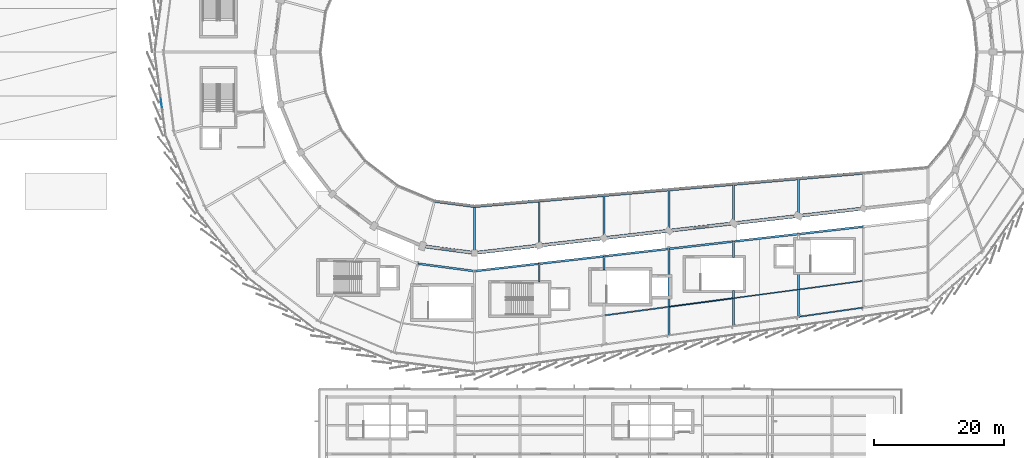
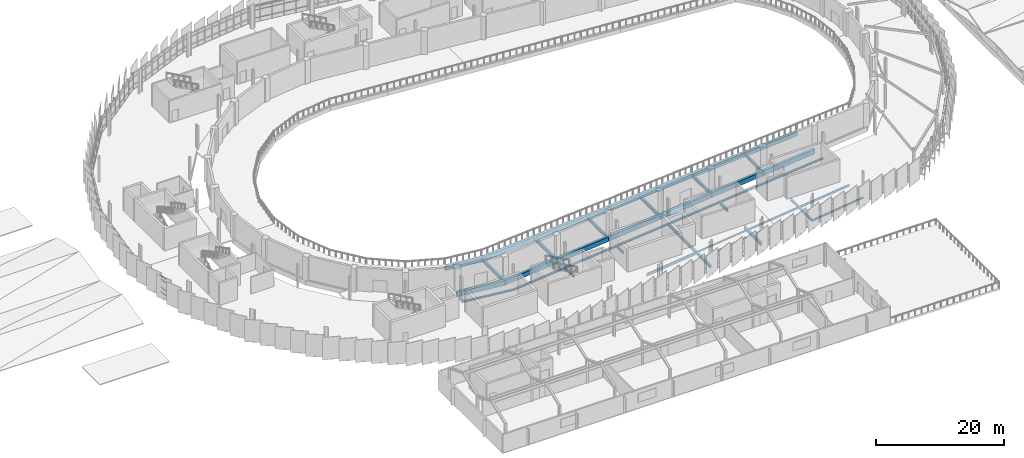
# One storey, part 26 of 87: 38 beams, 4 members, 1 element without a shape of its own.
"""IFC4 building model written with IfcOpenShell, lengths in metres."""

from ifc_helpers import new_model, si_unit, direction, frame, origin, origin_2d, place, context, subcontext, project, spatial, rectangle, hollow_rectangle, i_section, extrude, material, layer, layer_set, material_profile, profile_set, type_object, element, aggregate, save


model = new_model("IFC4")

# Units and contexts
model_context = context("Model", 3, precision=1e-05, world=origin(), true_north=direction((0.0, 1.0)))
body_context = subcontext(model_context, "Body", "Model", "MODEL_VIEW")
ifc_project = project(units=[si_unit("LENGTHUNIT", "METRE"), si_unit("AREAUNIT", "SQUARE_METRE"), si_unit("VOLUMEUNIT", "CUBIC_METRE"), si_unit("PLANEANGLEUNIT", "RADIAN"), si_unit("MASSUNIT", "GRAM", prefix="KILO")], contexts=[model_context])

# Site, building, storey
site_placement = place(None, origin())
site = spatial("IfcSite", under=ifc_project, at=site_placement, CompositionType="ELEMENT")
building_placement = place(site_placement, origin())
building = spatial("IfcBuilding", under=site, at=building_placement, Name="Sohan Crest Arena", CompositionType="ELEMENT")
storey_placement = place(building_placement, frame((0.0, 0.0, 18.0)))
storey = spatial("IfcBuildingStorey", under=building, at=storey_placement, Name="L04", CompositionType="ELEMENT", Elevation=18.0)

# Curtain wall, members
ifc_material_1 = material(Name="Thermally broken anodised aluminium", Category="aluminium")
ifc_layer = layer(ifc_material_1, 0.179931640625, Name="Thermally broken anodised aluminium")
ifc_layer_set = layer_set([ifc_layer], Name="Thermally broken anodised aluminium")
curtain_wall_type = type_object("IfcCurtainWallType", Name="ARC-CW01", PredefinedType="NOTDEFINED", material=ifc_layer_set)
curtain_wall_placement = place(storey_placement, origin())
curtain_wall = element("IfcCurtainWall", 1, at=curtain_wall_placement, inside=storey, type_object=curtain_wall_type, Name="Unitised curtain wall CW-118", PredefinedType="NOTDEFINED")
ifc_material_profile_1 = material_profile(ifc_material_1, rectangle(XDim=0.06005859375, YDim=0.1201171875, at=origin_2d()), Name="ALU-TRAN 60x120")
ifc_profile_set_1 = profile_set([ifc_material_profile_1], Name="Thermally broken anodised aluminium")
member_type = type_object("IfcMemberType", Name="ARC-CW-TR01", PredefinedType="USERDEFINED", material=ifc_profile_set_1)
member_1_placement = place(storey_placement, frame((49.589111328125, 70.869140625, 0.030029296875), z_axis=(0.130542644625, -0.991442695235, 0.0), x_axis=(0.991442695235, 0.130542644625, 0.0)))
member_1 = element("IfcMember", 2, at=member_1_placement, type_object=member_type, Name="CW-118 transom 6.1", ObjectType="TRANSOM", PredefinedType="USERDEFINED", context=body_context, shape_type="SweptSolid", body=[
    extrude(rectangle(XDim=0.06005859375, YDim=0.1201171875, at=origin_2d()), origin(), (0.0, 0.0, 1.0), 1.361572265625),
])
member_2_placement = place(storey_placement, frame((49.589111328125, 70.869140625, 0.89990234375), z_axis=(0.130542644625, -0.991442695235, 0.0), x_axis=(0.991442695235, 0.130542644625, 0.0)))
member_2 = element("IfcMember", 3, at=member_2_placement, type_object=member_type, Name="CW-118 transom 6.2", ObjectType="TRANSOM", PredefinedType="USERDEFINED", context=body_context, shape_type="SweptSolid", body=[
    extrude(rectangle(XDim=0.06005859375, YDim=0.1201171875, at=origin_2d()), origin(), (0.0, 0.0, 1.0), 1.361572265625),
])
member_3_placement = place(storey_placement, frame((49.589111328125, 70.869140625, 2.419921875), z_axis=(0.130542644625, -0.991442695235, 0.0), x_axis=(0.991442695235, 0.130542644625, 0.0)))
member_3 = element("IfcMember", 4, at=member_3_placement, type_object=member_type, Name="CW-118 transom 6.3", ObjectType="TRANSOM", PredefinedType="USERDEFINED", context=body_context, shape_type="SweptSolid", body=[
    extrude(rectangle(XDim=0.06005859375, YDim=0.1201171875, at=origin_2d()), origin(), (0.0, 0.0, 1.0), 1.361572265625),
])
member_4_placement = place(storey_placement, frame((49.589111328125, 70.869140625, 3.090087890625), z_axis=(0.130542644625, -0.991442695235, 0.0), x_axis=(0.991442695235, 0.130542644625, 0.0)))
member_4 = element("IfcMember", 5, at=member_4_placement, type_object=member_type, Name="CW-118 transom 6.4", ObjectType="TRANSOM", PredefinedType="USERDEFINED", context=body_context, shape_type="SweptSolid", body=[
    extrude(rectangle(XDim=0.06005859375, YDim=0.1201171875, at=origin_2d()), origin(), (0.0, 0.0, 1.0), 1.361572265625),
])
aggregate(curtain_wall, [member_1, member_2, member_3, member_4])

# Beams
ifc_material_2 = material(Name="Steel S355", Category="steel")
ifc_material_profile_2 = material_profile(ifc_material_2, i_section(OverallWidth=0.14990234375, OverallDepth=0.300048828125, WebThickness=0.007080078125, FlangeThickness=0.0107421875, at=origin_2d()), Name="IPE 300")
ifc_profile_set_2 = profile_set([ifc_material_profile_2], Name="Steel S355")
beam_type_1 = type_object("IfcBeamType", Name="STR-BM-B01", PredefinedType="JOIST", material=ifc_profile_set_2)
beam_1_placement = place(storey_placement, frame((128.10888671875, 38.7041015625, -0.39990234375), z_axis=(0.991232437337, 0.132129690721, 0.0), x_axis=(-0.132129690721, 0.991232437337, 0.0)))
element("IfcBeam", 6, at=beam_1_placement, inside=storey, type_object=beam_type_1, Name="Structural beam J-L04-1618", PredefinedType="JOIST", context=body_context, shape_type="SweptSolid", body=[
    extrude(i_section(OverallWidth=0.14990234375, OverallDepth=0.300048828125, WebThickness=0.007080078125, FlangeThickness=0.0107421875, at=origin_2d()), origin(), (0.0, 0.0, 1.0), 9.86865234375),
])
ifc_material_profile_3 = material_profile(ifc_material_2, i_section(OverallWidth=0.169921875, OverallDepth=0.360107421875, WebThickness=0.008056640625, FlangeThickness=0.0126953125, at=origin_2d()), Name="IPE 360")
ifc_profile_set_3 = profile_set([ifc_material_profile_3], Name="Steel S355")
beam_type_2 = type_object("IfcBeamType", Name="STR-BM-B02", PredefinedType="JOIST", material=ifc_profile_set_3)
beam_2_placement = place(storey_placement, frame((138.10888671875, 40.0380859375, -0.429931640625), z_axis=(0.991232437337, 0.132129690721, 0.0), x_axis=(-0.132129690721, 0.991232437337, 0.0)))
element("IfcBeam", 7, at=beam_2_placement, inside=storey, type_object=beam_type_2, Name="Structural beam J-L04-1623", PredefinedType="JOIST", context=body_context, shape_type="SweptSolid", body=[
    extrude(i_section(OverallWidth=0.169921875, OverallDepth=0.360107421875, WebThickness=0.008056640625, FlangeThickness=0.0126953125, at=origin_2d()), origin(), (0.0, 0.0, 1.0), 9.86865234375),
])
ifc_material_profile_4 = material_profile(ifc_material_2, i_section(OverallWidth=0.179931640625, OverallDepth=0.39990234375, WebThickness=0.008544921875, FlangeThickness=0.013427734375, at=origin_2d()), Name="IPE 400")
ifc_profile_set_4 = profile_set([ifc_material_profile_4], Name="Steel S355")
beam_type_3 = type_object("IfcBeamType", Name="STR-BM-B03", PredefinedType="JOIST", material=ifc_profile_set_4)
beam_3_placement = place(storey_placement, frame((148.10888671875, 41.3720703125, -0.449951171875), z_axis=(0.991232437337, 0.132129690721, 0.0), x_axis=(-0.132129690721, 0.991232437337, 0.0)))
element("IfcBeam", 8, at=beam_3_placement, inside=storey, type_object=beam_type_3, Name="Structural beam J-L04-1628", PredefinedType="JOIST", context=body_context, shape_type="SweptSolid", body=[
    extrude(i_section(OverallWidth=0.179931640625, OverallDepth=0.39990234375, WebThickness=0.008544921875, FlangeThickness=0.013427734375, at=origin_2d()), origin(), (0.0, 0.0, 1.0), 9.86865234375),
])
ifc_material_profile_5 = material_profile(ifc_material_2, i_section(OverallWidth=0.199951171875, OverallDepth=0.5, WebThickness=0.01025390625, FlangeThickness=0.01611328125, at=origin_2d()), Name="IPE 500")
ifc_profile_set_5 = profile_set([ifc_material_profile_5], Name="Steel S355")
beam_type_4 = type_object("IfcBeamType", Name="STR-BM-B05", PredefinedType="JOIST", material=ifc_profile_set_5)
beam_4_placement = place(storey_placement, frame((118.10888671875, 37.3701171875, -0.5), z_axis=(0.991232437337, 0.132129690721, 0.0), x_axis=(-0.132129690721, 0.991232437337, 0.0)))
element("IfcBeam", 9, at=beam_4_placement, inside=storey, type_object=beam_type_4, Name="Structural beam J-L04-1614", PredefinedType="JOIST", context=body_context, shape_type="SweptSolid", body=[
    extrude(i_section(OverallWidth=0.199951171875, OverallDepth=0.5, WebThickness=0.01025390625, FlangeThickness=0.01611328125, at=origin_2d()), origin(), (0.0, 0.0, 1.0), 9.86865234375),
])
ifc_material_profile_6 = material_profile(ifc_material_2, i_section(OverallWidth=0.300048828125, OverallDepth=0.590087890625, WebThickness=0.012939453125, FlangeThickness=0.02490234375, at=origin_2d()), Name="HEA 600")
ifc_profile_set_6 = profile_set([ifc_material_profile_6], Name="Steel S355")
beam_type_5 = type_object("IfcBeamType", Name="STR-BM-B11", PredefinedType="BEAM", material=ifc_profile_set_6)
beam_5_placement = place(storey_placement, frame((98.0, 54.199951171875, -0.544921875), z_axis=(0.0, -1.0, 0.0), x_axis=(1.0, 0.0, 0.0)))
element("IfcBeam", 10, at=beam_5_placement, inside=storey, type_object=beam_type_5, Name="Structural beam G-L04-0342", PredefinedType="BEAM", context=body_context, shape_type="SweptSolid", body=[
    extrude(i_section(OverallWidth=0.300048828125, OverallDepth=0.590087890625, WebThickness=0.012939453125, FlangeThickness=0.02490234375, at=origin_2d()), origin(), (0.0, 0.0, 1.0), 7.199951171875),
])
beam_6_placement = place(storey_placement, frame((108.0, 55.056884765625, -0.544921875), z_axis=(0.0, -1.0, 0.0), x_axis=(1.0, 0.0, 0.0)))
element("IfcBeam", 11, at=beam_6_placement, inside=storey, type_object=beam_type_5, Name="Structural beam G-L04-0364", PredefinedType="BEAM", context=body_context, shape_type="SweptSolid", body=[
    extrude(i_section(OverallWidth=0.300048828125, OverallDepth=0.590087890625, WebThickness=0.012939453125, FlangeThickness=0.02490234375, at=origin_2d()), origin(), (0.0, 0.0, 1.0), 6.913818359375),
])
beam_7_placement = place(storey_placement, frame((118.0, 55.9140625, -0.544921875), z_axis=(0.0, -1.0, 0.0), x_axis=(1.0, 0.0, 0.0)))
element("IfcBeam", 12, at=beam_7_placement, inside=storey, type_object=beam_type_5, Name="Structural beam G-L04-0386", PredefinedType="BEAM", context=body_context, shape_type="SweptSolid", body=[
    extrude(i_section(OverallWidth=0.300048828125, OverallDepth=0.590087890625, WebThickness=0.012939453125, FlangeThickness=0.02490234375, at=origin_2d()), origin(), (0.0, 0.0, 1.0), 6.628173828125),
])
beam_8_placement = place(storey_placement, frame((128.0, 56.77099609375, -0.544921875), z_axis=(0.0, -1.0, 0.0), x_axis=(1.0, 0.0, 0.0)))
element("IfcBeam", 13, at=beam_8_placement, inside=storey, type_object=beam_type_5, Name="Structural beam G-L04-0408", PredefinedType="BEAM", context=body_context, shape_type="SweptSolid", body=[
    extrude(i_section(OverallWidth=0.300048828125, OverallDepth=0.590087890625, WebThickness=0.012939453125, FlangeThickness=0.02490234375, at=origin_2d()), origin(), (0.0, 0.0, 1.0), 6.342041015625),
])
beam_9_placement = place(storey_placement, frame((138.0, 57.62890625, -0.544921875), z_axis=(0.0, -1.0, 0.0), x_axis=(1.0, 0.0, 0.0)))
element("IfcBeam", 14, at=beam_9_placement, inside=storey, type_object=beam_type_5, Name="Structural beam G-L04-0430", PredefinedType="BEAM", context=body_context, shape_type="SweptSolid", body=[
    extrude(i_section(OverallWidth=0.300048828125, OverallDepth=0.590087890625, WebThickness=0.012939453125, FlangeThickness=0.02490234375, at=origin_2d()), origin(), (0.0, 0.0, 1.0), 6.057861328125),
])
beam_10_placement = place(storey_placement, frame((148.0, 58.486083984375, -0.544921875), z_axis=(0.0, -1.0, 0.0), x_axis=(1.0, 0.0, 0.0)))
element("IfcBeam", 15, at=beam_10_placement, inside=storey, type_object=beam_type_5, Name="Structural beam G-L04-0452", PredefinedType="BEAM", context=body_context, shape_type="SweptSolid", body=[
    extrude(i_section(OverallWidth=0.300048828125, OverallDepth=0.590087890625, WebThickness=0.012939453125, FlangeThickness=0.02490234375, at=origin_2d()), origin(), (0.0, 0.0, 1.0), 5.77197265625),
])
beam_11_placement = place(storey_placement, frame((138.0, 48.77099609375, -0.544921875), z_axis=(0.0, -1.0, 0.0), x_axis=(1.0, 0.0, 0.0)))
element("IfcBeam", 16, at=beam_11_placement, inside=storey, type_object=beam_type_5, Name="Structural beam G-L04-1619", PredefinedType="BEAM", context=body_context, shape_type="SweptSolid", body=[
    extrude(i_section(OverallWidth=0.300048828125, OverallDepth=0.590087890625, WebThickness=0.012939453125, FlangeThickness=0.02490234375, at=origin_2d()), origin(), (0.0, 0.0, 1.0), 2.44091796875),
])
beam_12_placement = place(storey_placement, frame((138.0, 41.169921875, -0.544921875), z_axis=(0.0, -1.0, 0.0), x_axis=(1.0, 0.0, 0.0)))
element("IfcBeam", 17, at=beam_12_placement, inside=storey, type_object=beam_type_5, Name="Structural beam G-L04-1620", PredefinedType="BEAM", context=body_context, shape_type="SweptSolid", body=[
    extrude(i_section(OverallWidth=0.300048828125, OverallDepth=0.590087890625, WebThickness=0.012939453125, FlangeThickness=0.02490234375, at=origin_2d()), origin(), (0.0, 0.0, 1.0), 5.455810546875),
])
ifc_material_profile_7 = material_profile(ifc_material_2, i_section(OverallWidth=0.300048828125, OverallDepth=0.300048828125, WebThickness=0.010986328125, FlangeThickness=0.01904296875, at=origin_2d()), Name="HEB 300")
ifc_profile_set_7 = profile_set([ifc_material_profile_7], Name="Steel S355")
beam_type_6 = type_object("IfcBeamType", Name="STR-BM-B12", PredefinedType="BEAM", material=ifc_profile_set_7)
beam_13_placement = place(storey_placement, frame((89.251953125, 45.35205078125, -0.39990234375), z_axis=(0.991439032147, -0.130570461953, 0.0), x_axis=(0.130570461953, 0.991439032147, 0.0)))
element("IfcBeam", 18, at=beam_13_placement, inside=storey, type_object=beam_type_6, Name="Structural beam G-L04-1598", PredefinedType="BEAM", context=body_context, shape_type="SweptSolid", body=[
    extrude(i_section(OverallWidth=0.300048828125, OverallDepth=0.300048828125, WebThickness=0.010986328125, FlangeThickness=0.01904296875, at=origin_2d()), origin(), (0.0, 0.0, 1.0), 8.823486328125),
])
beam_14_placement = place(storey_placement, frame((98.0, 44.199951171875, -0.39990234375), z_axis=(0.99353032697, 0.113567114035, 0.0), x_axis=(-0.113567114035, 0.99353032697, 0.0)))
element("IfcBeam", 19, at=beam_14_placement, inside=storey, type_object=beam_type_6, Name="Structural beam G-L04-1602", PredefinedType="BEAM", context=body_context, shape_type="SweptSolid", body=[
    extrude(i_section(OverallWidth=0.300048828125, OverallDepth=0.300048828125, WebThickness=0.010986328125, FlangeThickness=0.01904296875, at=origin_2d()), origin(), (0.0, 0.0, 1.0), 10.065185546875),
])
beam_15_placement = place(storey_placement, frame((108.0, 45.343017578125, -0.39990234375), z_axis=(0.0, -1.0, 0.0), x_axis=(1.0, 0.0, 0.0)))
element("IfcBeam", 20, at=beam_15_placement, inside=storey, type_object=beam_type_6, Name="Structural beam G-L04-1605", PredefinedType="BEAM", context=body_context, shape_type="SweptSolid", body=[
    extrude(i_section(OverallWidth=0.300048828125, OverallDepth=0.300048828125, WebThickness=0.010986328125, FlangeThickness=0.01904296875, at=origin_2d()), origin(), (0.0, 0.0, 1.0), 2.863037109375),
])
for number, where, z_axis, x_axis, name in (
    (21, (108.0, 45.343017578125, -0.39990234375), (0.99353032697, 0.113567114035, 0.0), (-0.113567114035, 0.99353032697, 0.0), "Structural beam G-L04-1607"),
    (22, (118.0, 46.486083984375, -0.39990234375), (0.993533063564, 0.113543170668, 0.0), (-0.113543170668, 0.993533063564, 0.0), "Structural beam G-L04-1612"),
):
    element("IfcBeam", number, at=place(storey_placement, frame(where, z_axis=z_axis, x_axis=x_axis)), inside=storey, type_object=beam_type_6, Name=name, PredefinedType="BEAM", context=body_context, shape_type="SweptSolid", body=[
        extrude(i_section(OverallWidth=0.300048828125, OverallDepth=0.300048828125, WebThickness=0.010986328125, FlangeThickness=0.01904296875, at=origin_2d()), origin(), (0.0, 0.0, 1.0), 10.065185546875),
    ])
beam_16_placement = place(storey_placement, frame((128.0, 47.62890625, -0.39990234375), z_axis=(0.993541269973, 0.113471339378, 0.0), x_axis=(-0.113471339378, 0.993541269973, 0.0)))
element("IfcBeam", 23, at=beam_16_placement, inside=storey, type_object=beam_type_6, Name="Structural beam G-L04-1616", PredefinedType="BEAM", context=body_context, shape_type="SweptSolid", body=[
    extrude(i_section(OverallWidth=0.300048828125, OverallDepth=0.300048828125, WebThickness=0.010986328125, FlangeThickness=0.01904296875, at=origin_2d()), origin(), (0.0, 0.0, 1.0), 10.06494140625),
])
beam_17_placement = place(storey_placement, frame((138.0, 48.77099609375, -0.39990234375), z_axis=(0.99353032697, 0.113567114035, 0.0), x_axis=(-0.113567114035, 0.99353032697, 0.0)))
element("IfcBeam", 24, at=beam_17_placement, inside=storey, type_object=beam_type_6, Name="Structural beam G-L04-1621", PredefinedType="BEAM", context=body_context, shape_type="SweptSolid", body=[
    extrude(i_section(OverallWidth=0.300048828125, OverallDepth=0.300048828125, WebThickness=0.010986328125, FlangeThickness=0.01904296875, at=origin_2d()), origin(), (0.0, 0.0, 1.0), 10.065185546875),
])
beam_18_placement = place(storey_placement, frame((148.0, 43.919921875, -0.39990234375), z_axis=(0.0, -1.0, 0.0), x_axis=(1.0, 0.0, 0.0)))
element("IfcBeam", 25, at=beam_18_placement, inside=storey, type_object=beam_type_6, Name="Structural beam G-L04-1625", PredefinedType="BEAM", context=body_context, shape_type="SweptSolid", body=[
    extrude(i_section(OverallWidth=0.300048828125, OverallDepth=0.300048828125, WebThickness=0.010986328125, FlangeThickness=0.01904296875, at=origin_2d()), origin(), (0.0, 0.0, 1.0), 6.77685546875),
])
beam_19_placement = place(storey_placement, frame((148.0, 49.9140625, -0.39990234375), z_axis=(0.993533063564, 0.113543170668, 0.0), x_axis=(-0.113543170668, 0.993533063564, 0.0)))
element("IfcBeam", 26, at=beam_19_placement, inside=storey, type_object=beam_type_6, Name="Structural beam G-L04-1626", PredefinedType="BEAM", context=body_context, shape_type="SweptSolid", body=[
    extrude(i_section(OverallWidth=0.300048828125, OverallDepth=0.300048828125, WebThickness=0.010986328125, FlangeThickness=0.01904296875, at=origin_2d()), origin(), (0.0, 0.0, 1.0), 10.065185546875),
])
ifc_material_profile_8 = material_profile(ifc_material_2, i_section(OverallWidth=0.300048828125, OverallDepth=0.39990234375, WebThickness=0.013427734375, FlangeThickness=0.02392578125, at=origin_2d()), Name="HEB 400")
ifc_profile_set_8 = profile_set([ifc_material_profile_8], Name="Steel S355")
beam_type_7 = type_object("IfcBeamType", Name="STR-BM-B13", PredefinedType="BEAM", material=ifc_profile_set_8)
beam_20_placement = place(storey_placement, frame((118.0, 46.486083984375, -0.449951171875), z_axis=(0.0, -1.0, 0.0), x_axis=(1.0, 0.0, 0.0)))
element("IfcBeam", 27, at=beam_20_placement, inside=storey, type_object=beam_type_7, Name="Structural beam G-L04-1610", PredefinedType="BEAM", context=body_context, shape_type="SweptSolid", body=[
    extrude(i_section(OverallWidth=0.300048828125, OverallDepth=0.39990234375, WebThickness=0.013427734375, FlangeThickness=0.02392578125, at=origin_2d()), origin(), (0.0, 0.0, 1.0), 2.106201171875),
])
ifc_material_profile_9 = material_profile(ifc_material_2, i_section(OverallWidth=0.300048828125, OverallDepth=0.5, WebThickness=0.014404296875, FlangeThickness=0.028076171875, at=origin_2d()), Name="HEB 500")
ifc_profile_set_9 = profile_set([ifc_material_profile_9], Name="Steel S355")
beam_type_8 = type_object("IfcBeamType", Name="STR-BM-B14", PredefinedType="BEAM", material=ifc_profile_set_9)
beam_21_placement = place(storey_placement, frame((128.0, 47.62890625, -0.5), z_axis=(0.0, -1.0, 0.0), x_axis=(1.0, 0.0, 0.0)))
element("IfcBeam", 28, at=beam_21_placement, inside=storey, type_object=beam_type_8, Name="Structural beam G-L04-1615", PredefinedType="BEAM", context=body_context, shape_type="SweptSolid", body=[
    extrude(i_section(OverallWidth=0.300048828125, OverallDepth=0.5, WebThickness=0.014404296875, FlangeThickness=0.028076171875, at=origin_2d()), origin(), (0.0, 0.0, 1.0), 13.343017578125),
])
ifc_material_profile_10 = material_profile(ifc_material_2, hollow_rectangle(XDim=0.199951171875, YDim=0.300048828125, WallThickness=0.010009765625, at=origin_2d()), Name="RHS 300x200x10")
ifc_profile_set_10 = profile_set([ifc_material_profile_10], Name="Steel S355")
beam_type_9 = type_object("IfcBeamType", Name="STR-BM-SP03", PredefinedType="SPANDREL", material=ifc_profile_set_10)
beam_22_placement = place(storey_placement, frame((148.0, 37.14306640625, -0.39990234375), z_axis=(0.989957709412, 0.141363834042, 0.0), x_axis=(-0.141363834042, 0.989957709412, 0.0)))
element("IfcBeam", 29, at=beam_22_placement, inside=storey, type_object=beam_type_9, Name="Structural beam SP-L04-1627", PredefinedType="SPANDREL", context=body_context, shape_type="SweptSolid", body=[
    extrude(hollow_rectangle(XDim=0.199951171875, YDim=0.300048828125, WallThickness=0.010009765625, at=origin_2d()), origin(), (0.0, 0.0, 1.0), 10.1015625),
])
ifc_material_3 = material(Name="Concrete C40/50", Category="concrete")
ifc_material_profile_11 = material_profile(ifc_material_3, rectangle(XDim=0.449951171875, YDim=0.800048828125, at=origin_2d()), Name="RC-BM 450x800")
ifc_profile_set_11 = profile_set([ifc_material_profile_11], Name="Concrete C40/50")
beam_type_10 = type_object("IfcBeamType", Name="STR-BM-TB02", PredefinedType="BEAM", material=ifc_profile_set_11)
beam_23_placement = place(storey_placement, frame((91.840087890625, 55.010986328125, -0.64990234375), z_axis=(0.991443458676, -0.130536846329, 0.0), x_axis=(0.130536846329, 0.991443458676, 0.0)))
element("IfcBeam", 30, at=beam_23_placement, inside=storey, type_object=beam_type_10, Name="Structural beam TB-L04-0318", PredefinedType="BEAM", context=body_context, shape_type="SweptSolid", body=[
    extrude(rectangle(XDim=0.449951171875, YDim=0.800048828125, at=origin_2d()), origin(), (0.0, 0.0, 1.0), 6.213134765625),
])
for number, where, z_axis, x_axis, name in (
    (31, (98.0, 54.199951171875, -0.64990234375), (0.996348422929, 0.085380443469, 0.0), (-0.085380443469, 0.996348422929, 0.0), "Structural beam TB-L04-0340"),
    (32, (108.0, 55.056884765625, -0.64990234375), (0.996346353353, 0.085404590982, 0.0), (-0.085404590982, 0.996346353353, 0.0), "Structural beam TB-L04-0362"),
    (33, (118.0, 55.9140625, -0.64990234375), (0.996348422929, 0.085380443469, 0.0), (-0.085380443469, 0.996348422929, 0.0), "Structural beam TB-L04-0384"),
    (34, (128.0, 56.77099609375, -0.64990234375), (0.996340141164, 0.085477032618, 0.0), (-0.085477032618, 0.996340141164, 0.0), "Structural beam TB-L04-0406"),
    (35, (138.0, 57.62890625, -0.64990234375), (0.996346353353, 0.085404590982, 0.0), (-0.085404590982, 0.996346353353, 0.0), "Structural beam TB-L04-0428"),
    (36, (148.0, 58.486083984375, -0.64990234375), (0.996348422929, 0.085380443469, 0.0), (-0.085380443469, 0.996348422929, 0.0), "Structural beam TB-L04-0450"),
):
    element("IfcBeam", number, at=place(storey_placement, frame(where, z_axis=z_axis, x_axis=x_axis)), inside=storey, type_object=beam_type_10, Name=name, PredefinedType="BEAM", context=body_context, shape_type="SweptSolid", body=[
        extrude(rectangle(XDim=0.449951171875, YDim=0.800048828125, at=origin_2d()), origin(), (0.0, 0.0, 1.0), 10.03662109375),
    ])
ifc_material_profile_12 = material_profile(ifc_material_3, rectangle(XDim=0.5, YDim=0.89990234375, at=origin_2d()), Name="RC-BM 500x900")
ifc_profile_set_12 = profile_set([ifc_material_profile_12], Name="Concrete C40/50")
beam_type_11 = type_object("IfcBeamType", Name="STR-BM-TB03", PredefinedType="BEAM", material=ifc_profile_set_12)
beam_24_placement = place(storey_placement, frame((89.97705078125, 48.055908203125, -0.699951171875), z_axis=(0.99145018748, -0.130485730048, 0.0), x_axis=(0.130485730048, 0.99145018748, 0.0)))
element("IfcBeam", 37, at=beam_24_placement, inside=storey, type_object=beam_type_11, Name="Structural beam TB-L04-0319", PredefinedType="BEAM", context=body_context, shape_type="SweptSolid", body=[
    extrude(rectangle(XDim=0.5, YDim=0.89990234375, at=origin_2d()), origin(), (0.0, 0.0, 1.0), 8.092041015625),
])
for number, where, z_axis, x_axis, name in (
    (38, (98.0, 47.0, -0.699951171875), (0.99353032697, 0.113567114035, 0.0), (-0.113567114035, 0.99353032697, 0.0), "Structural beam TB-L04-0341"),
    (39, (108.0, 48.14306640625, -0.699951171875), (0.993533063564, 0.113543170668, 0.0), (-0.113543170668, 0.993533063564, 0.0), "Structural beam TB-L04-0363"),
    (40, (118.0, 49.285888671875, -0.699951171875), (0.99353032697, 0.113567114035, 0.0), (-0.113567114035, 0.99353032697, 0.0), "Structural beam TB-L04-0385"),
):
    element("IfcBeam", number, at=place(storey_placement, frame(where, z_axis=z_axis, x_axis=x_axis)), inside=storey, type_object=beam_type_11, Name=name, PredefinedType="BEAM", context=body_context, shape_type="SweptSolid", body=[
        extrude(rectangle(XDim=0.5, YDim=0.89990234375, at=origin_2d()), origin(), (0.0, 0.0, 1.0), 10.065185546875),
    ])
beam_25_placement = place(storey_placement, frame((128.0, 50.428955078125, -0.699951171875), z_axis=(0.993541269973, 0.113471339378, 0.0), x_axis=(-0.113471339378, 0.993541269973, 0.0)))
element("IfcBeam", 41, at=beam_25_placement, inside=storey, type_object=beam_type_11, Name="Structural beam TB-L04-0407", PredefinedType="BEAM", context=body_context, shape_type="SweptSolid", body=[
    extrude(rectangle(XDim=0.5, YDim=0.89990234375, at=origin_2d()), origin(), (0.0, 0.0, 1.0), 10.06494140625),
])
for number, where, z_axis, x_axis, name in (
    (42, (138.0, 51.571044921875, -0.699951171875), (0.99353032697, 0.113567114035, 0.0), (-0.113567114035, 0.99353032697, 0.0), "Structural beam TB-L04-0429"),
    (43, (148.0, 52.714111328125, -0.699951171875), (0.993533063564, 0.113543170668, 0.0), (-0.113543170668, 0.993533063564, 0.0), "Structural beam TB-L04-0451"),
):
    element("IfcBeam", number, at=place(storey_placement, frame(where, z_axis=z_axis, x_axis=x_axis)), inside=storey, type_object=beam_type_11, Name=name, PredefinedType="BEAM", context=body_context, shape_type="SweptSolid", body=[
        extrude(rectangle(XDim=0.5, YDim=0.89990234375, at=origin_2d()), origin(), (0.0, 0.0, 1.0), 10.065185546875),
    ])

save(model, "model.ifc")
